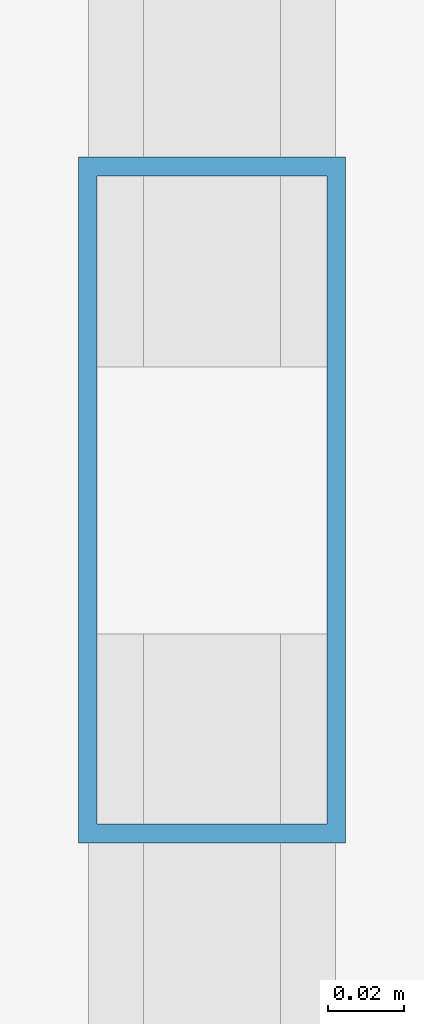
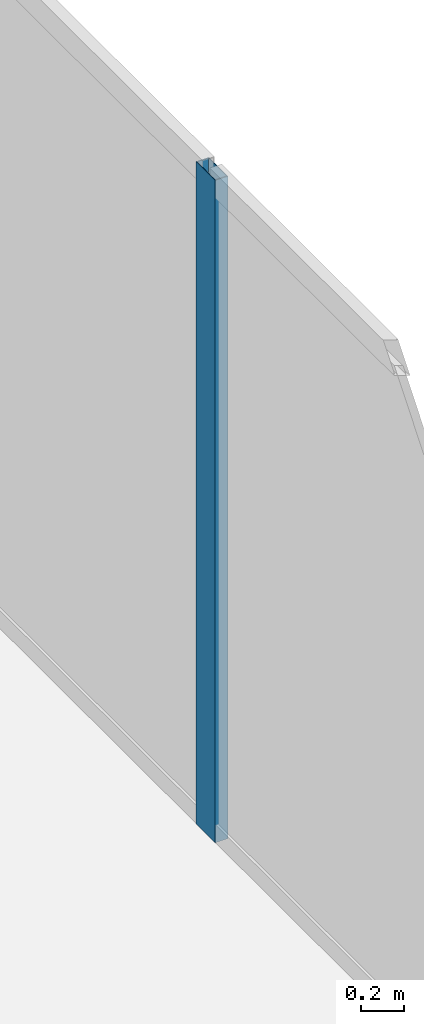
# One storey, part 24 of 33: 1 member, 1 element without a shape of its own.
"""IFC4 building model written with IfcOpenShell, lengths in metres."""

from ifc_helpers import new_model, si_unit, direction, frame, origin, origin_2d, place, context, subcontext, project, spatial, hollow_rectangle, extrude, source, transform, mapped, material, layer, layer_set, material_profile, profile_set, type_object, type_shapes, element, aggregate, save


model = new_model("IFC4")

# Units and contexts
model_context = context("Model", 3, precision=1e-05, world=origin(), true_north=direction((0.0, 1.0)))
body_context = subcontext(model_context, "Body", "Model", "MODEL_VIEW")
ifc_project = project(units=[si_unit("LENGTHUNIT", "METRE"), si_unit("AREAUNIT", "SQUARE_METRE"), si_unit("VOLUMEUNIT", "CUBIC_METRE"), si_unit("PLANEANGLEUNIT", "RADIAN"), si_unit("MASSUNIT", "GRAM", prefix="KILO")], contexts=[model_context])

# Site, building, storey
site_placement = place(None, origin())
site = spatial("IfcSite", under=ifc_project, at=site_placement, CompositionType="ELEMENT")
building_placement = place(site_placement, origin())
building = spatial("IfcBuilding", under=site, at=building_placement, Name="Haelvirn Gate Laboratories", CompositionType="ELEMENT")
storey_placement = place(building_placement, frame((0.0, 0.0, 279.300048828125)))
storey = spatial("IfcBuildingStorey", under=building, at=storey_placement, Name="L67", CompositionType="ELEMENT", Elevation=279.300048828125)

# Curtain wall, member
ifc_material_1 = material(Name="Anodised bronze unitised aluminium & triple low-E glass", Category="aluminium")
ifc_layer = layer(ifc_material_1, 0.176025390625, Name="CW-SYS-4")
ifc_layer_set = layer_set([ifc_layer], Name="Anodised bronze unitised aluminium & triple low-E glass")
curtain_wall_type = type_object("IfcCurtainWallType", Name="CW-SYS-4", PredefinedType="NOTDEFINED", material=ifc_layer_set)
curtain_wall_placement = place(storey_placement, origin())
curtain_wall = element("IfcCurtainWall", 1, at=curtain_wall_placement, inside=storey, type_object=curtain_wall_type, Name="L67 Unitised Curtain Wall CW-L67-P0-E07", PredefinedType="NOTDEFINED")
ifc_material_2 = material(Name="Extruded aluminium 6063-T6 (anodised bronze)", Category="aluminium")
ifc_material_profile = material_profile(ifc_material_2, hollow_rectangle(XDim=0.070068359375, YDim=0.179931640625, WallThickness=0.0048828125, at=origin_2d()), Name="CWM-180x70x5")
ifc_profile_set = profile_set([ifc_material_profile], Name="Extruded aluminium 6063-T6 (anodised bronze)")
member_type = type_object("IfcMemberType", Name="CWM-T180", PredefinedType="MULLION", material=ifc_profile_set)
shared_shape = source(origin(), body_context, "Body", "SweptSolid", [
    extrude(hollow_rectangle(XDim=0.070068359375, YDim=0.179931640625, WallThickness=0.0048828125, at=origin_2d()), origin(), (0.0, 0.0, 1.0), 3.800048828125),
])
type_shapes(member_type, [shared_shape])
member_placement = place(storey_placement, frame((70.699951171875, 24.300048828125, 0.0), z_axis=(0.0, 0.0, 1.0), x_axis=(-1.0, 0.0, 0.0)))
member = element("IfcMember", 2, at=member_placement, type_object=member_type, Name="CW4 mullion 2", PredefinedType="MULLION", context=body_context, shape_type="MappedRepresentation", body=[
    mapped(shared_shape, transform((0.0, 0.0, 0.0), scale=1.0)),
])
aggregate(curtain_wall, [member])

save(model, "model.ifc")
